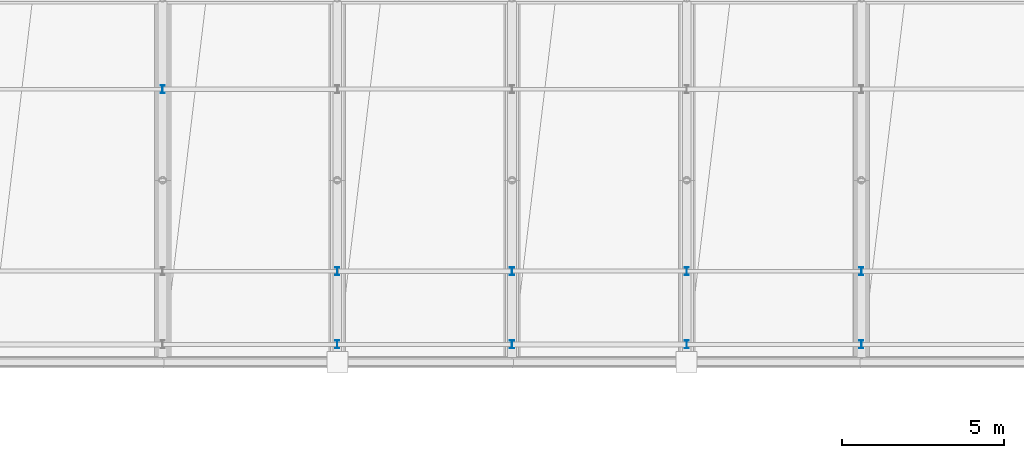
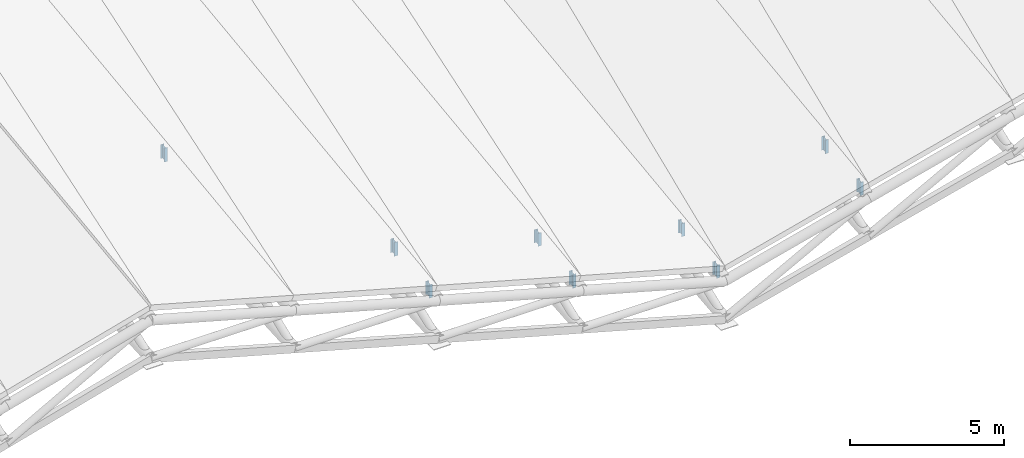
# One storey, part 56 of 109: 9 members.
"""IFC4 building model written with IfcOpenShell, lengths in metres."""

from ifc_helpers import new_model, si_unit, direction, frame, origin, origin_2d, place, context, subcontext, project, spatial, i_section, extrude, material, material_profile, profile_set, type_object, element, save


model = new_model("IFC4")

# Units and contexts
model_context = context("Model", 3, precision=1e-05, world=origin(), true_north=direction((0.0, 1.0)))
body_context = subcontext(model_context, "Body", "Model", "MODEL_VIEW")
ifc_project = project(units=[si_unit("LENGTHUNIT", "METRE"), si_unit("AREAUNIT", "SQUARE_METRE"), si_unit("VOLUMEUNIT", "CUBIC_METRE"), si_unit("PLANEANGLEUNIT", "RADIAN"), si_unit("MASSUNIT", "GRAM", prefix="KILO")], contexts=[model_context])

# Site, building, storey
site_placement = place(None, origin())
site = spatial("IfcSite", under=ifc_project, at=site_placement, CompositionType="ELEMENT")
building_placement = place(site_placement, origin())
building = spatial("IfcBuilding", under=site, at=building_placement, Name="Suirenkawa Promenade Aquatics Centre", CompositionType="ELEMENT")
storey_placement = place(building_placement, frame((0.0, 0.0, 22.800048828125)))
storey = spatial("IfcBuildingStorey", under=building, at=storey_placement, Name="ROOF", CompositionType="ELEMENT", Elevation=22.800048828125)

# Members
ifc_material = material(Name="Steel IS 2062 E350 (Grade 350)", Category="steel")
ifc_material_profile = material_profile(ifc_material, i_section(OverallWidth=0.125, OverallDepth=0.25, WebThickness=0.007080078125, FlangeThickness=0.012939453125, at=origin_2d()), Name="ISMB 250", Category="steel")
ifc_profile_set = profile_set([ifc_material_profile], Name="Steel IS 2062 E350 (Grade 350)")
member_type = type_object("IfcMemberType", Name="MT-WEB-CHS168", PredefinedType="BRACE", material=ifc_profile_set)
member_1_placement = place(storey_placement, frame((73.800048828125, 58.8369140625, -9.633056640625), z_axis=(0.0, 0.0, 1.0), x_axis=(1.0, 0.0, 0.0)))
element("IfcMember", 1, at=member_1_placement, inside=storey, type_object=member_type, Name="ROOF TRUSS Purlin cleat post TD-03 MB-1836", PredefinedType="BRACE", context=body_context, shape_type="SweptSolid", body=[
    extrude(i_section(OverallWidth=0.125, OverallDepth=0.25, WebThickness=0.007080078125, FlangeThickness=0.012939453125, at=origin_2d()), origin(), (0.0, 0.0, 1.0), 0.547119140625),
])
member_2_placement = place(storey_placement, frame((79.199951171875, 50.949951171875, -12.149169921875), z_axis=(0.0, 0.0, 1.0), x_axis=(1.0, 0.0, 0.0)))
element("IfcMember", 2, at=member_2_placement, inside=storey, type_object=member_type, Name="ROOF TRUSS Purlin cleat post TD-03 MB-1868", PredefinedType="BRACE", context=body_context, shape_type="SweptSolid", body=[
    extrude(i_section(OverallWidth=0.125, OverallDepth=0.25, WebThickness=0.007080078125, FlangeThickness=0.012939453125, at=origin_2d()), origin(), (0.0, 0.0, 1.0), 0.521240234375),
])
member_3_placement = place(storey_placement, frame((79.199951171875, 53.2119140625, -11.858154296875), z_axis=(0.0, 0.0, 1.0), x_axis=(1.0, 0.0, 0.0)))
element("IfcMember", 3, at=member_3_placement, inside=storey, type_object=member_type, Name="ROOF TRUSS Purlin cleat post TD-03 MB-1870", PredefinedType="BRACE", context=body_context, shape_type="SweptSolid", body=[
    extrude(i_section(OverallWidth=0.125, OverallDepth=0.25, WebThickness=0.007080078125, FlangeThickness=0.012939453125, at=origin_2d()), origin(), (0.0, 0.0, 1.0), 0.547119140625),
])
member_4_placement = place(storey_placement, frame((84.60009765625, 50.949951171875, -13.649169921875), z_axis=(0.0, 0.0, 1.0), x_axis=(1.0, 0.0, 0.0)))
element("IfcMember", 4, at=member_4_placement, inside=storey, type_object=member_type, Name="ROOF TRUSS Purlin cleat post TD-03 MB-1904", PredefinedType="BRACE", context=body_context, shape_type="SweptSolid", body=[
    extrude(i_section(OverallWidth=0.125, OverallDepth=0.25, WebThickness=0.007080078125, FlangeThickness=0.012939453125, at=origin_2d()), origin(), (0.0, 0.0, 1.0), 0.546142578125),
])
member_5_placement = place(storey_placement, frame((84.60009765625, 53.2119140625, -13.358154296875), z_axis=(0.0, 0.0, 1.0), x_axis=(1.0, 0.0, 0.0)))
element("IfcMember", 5, at=member_5_placement, inside=storey, type_object=member_type, Name="ROOF TRUSS Purlin cleat post TD-03 MB-1906", PredefinedType="BRACE", context=body_context, shape_type="SweptSolid", body=[
    extrude(i_section(OverallWidth=0.125, OverallDepth=0.25, WebThickness=0.007080078125, FlangeThickness=0.012939453125, at=origin_2d()), origin(), (0.0, 0.0, 1.0), 0.52001953125),
])
member_6_placement = place(storey_placement, frame((90.0, 50.949951171875, -15.149169921875), z_axis=(0.0, 0.0, 1.0), x_axis=(1.0, 0.0, 0.0)))
element("IfcMember", 6, at=member_6_placement, inside=storey, type_object=member_type, Name="ROOF TRUSS Purlin cleat post TD-03 MB-1940", PredefinedType="BRACE", context=body_context, shape_type="SweptSolid", body=[
    extrude(i_section(OverallWidth=0.125, OverallDepth=0.25, WebThickness=0.007080078125, FlangeThickness=0.012939453125, at=origin_2d()), origin(), (0.0, 0.0, 1.0), 0.51904296875),
])
for number, where, z_axis, x_axis, name in (
    (7, (90.0, 53.2119140625, -14.858154296875), (0.0, 0.0, 1.0), (1.0, 0.0, 0.0), "ROOF TRUSS Purlin cleat post TD-03 MB-1942"),
    (8, (95.39990234375, 50.949951171875, -13.7490234375), (0.0, 0.0, 1.0), (1.0, 0.0, 0.0), "ROOF TRUSS Purlin cleat post TD-03 MB-1976"),
):
    element("IfcMember", number, at=place(storey_placement, frame(where, z_axis=z_axis, x_axis=x_axis)), inside=storey, type_object=member_type, Name=name, PredefinedType="BRACE", context=body_context, shape_type="SweptSolid", body=[
        extrude(i_section(OverallWidth=0.125, OverallDepth=0.25, WebThickness=0.007080078125, FlangeThickness=0.012939453125, at=origin_2d()), origin(), (0.0, 0.0, 1.0), 0.52099609375),
    ])
member_7_placement = place(storey_placement, frame((95.39990234375, 53.2119140625, -13.4580078125), z_axis=(0.0, 0.0, 1.0), x_axis=(1.0, 0.0, 0.0)))
element("IfcMember", 9, at=member_7_placement, inside=storey, type_object=member_type, Name="ROOF TRUSS Purlin cleat post TD-03 MB-1978", PredefinedType="BRACE", context=body_context, shape_type="SweptSolid", body=[
    extrude(i_section(OverallWidth=0.125, OverallDepth=0.25, WebThickness=0.007080078125, FlangeThickness=0.012939453125, at=origin_2d()), origin(), (0.0, 0.0, 1.0), 0.546875),
])

save(model, "model.ifc")
